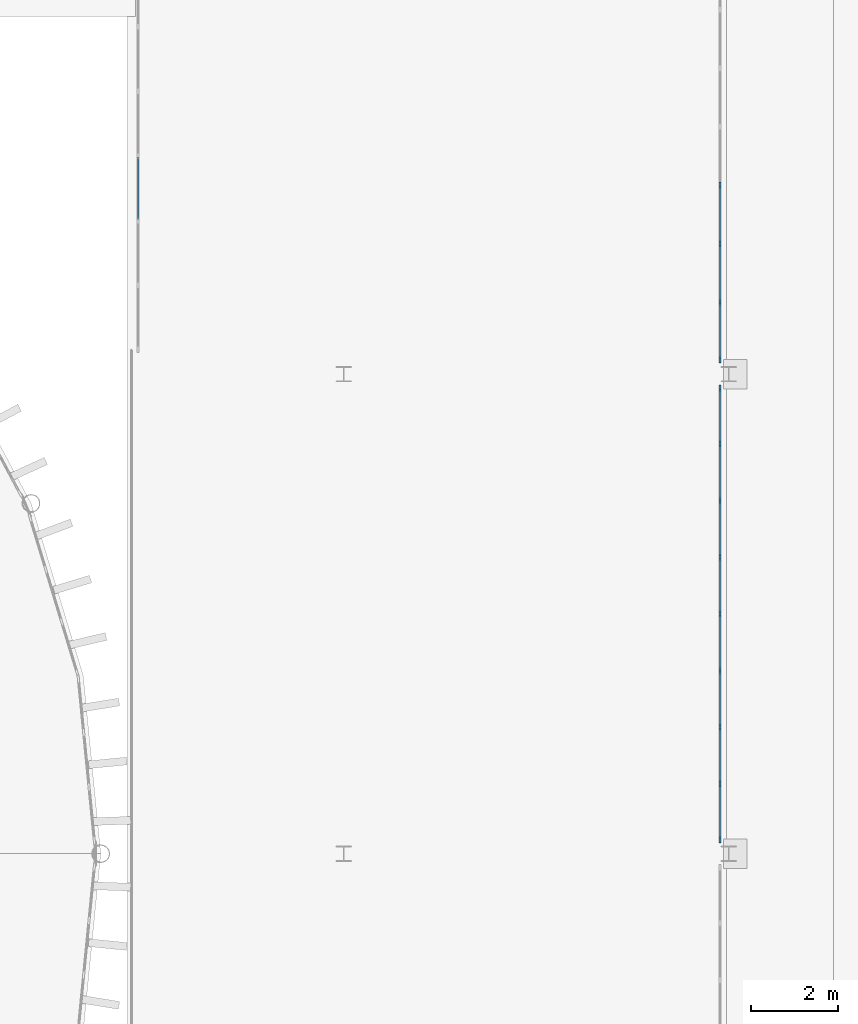
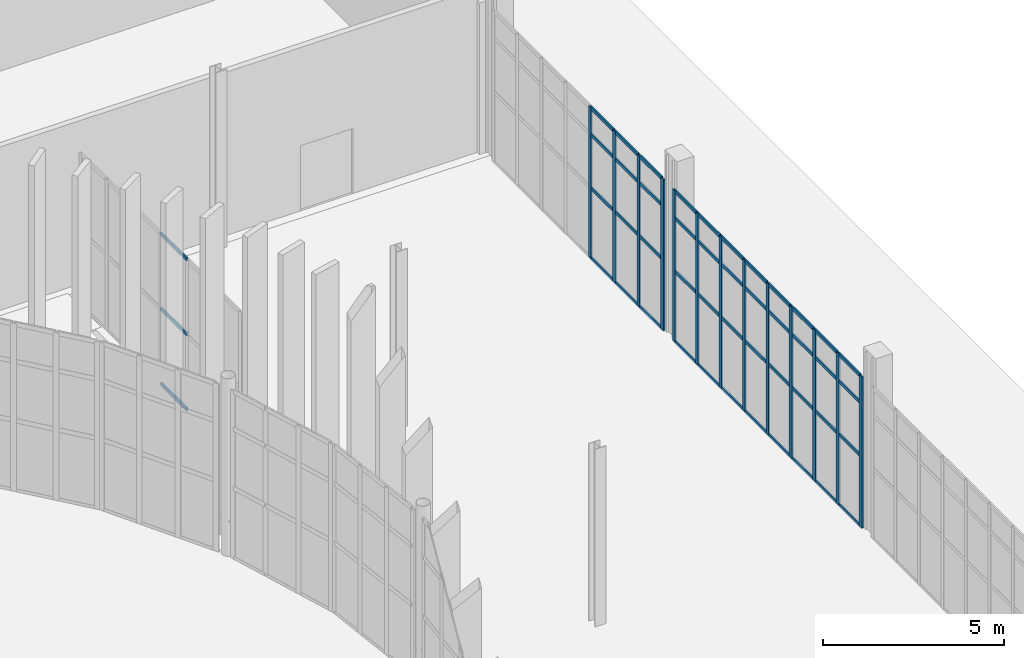
# One storey, part 60 of 139: 60 members, 3 elements without a shape of their own.
"""IFC4 building model written with IfcOpenShell, lengths in metres."""

from ifc_helpers import new_model, si_unit, direction, frame, origin, origin_2d, place, context, subcontext, project, spatial, rectangle, extrude, material, layer, layer_set, material_profile, profile_set, type_object, element, aggregate, save


model = new_model("IFC4")

# Units and contexts
model_context = context("Model", 3, precision=1e-05, world=origin(), true_north=direction((0.0, 1.0)))
body_context = subcontext(model_context, "Body", "Model", "MODEL_VIEW")
ifc_project = project(units=[si_unit("LENGTHUNIT", "METRE"), si_unit("AREAUNIT", "SQUARE_METRE"), si_unit("VOLUMEUNIT", "CUBIC_METRE"), si_unit("PLANEANGLEUNIT", "RADIAN"), si_unit("MASSUNIT", "GRAM", prefix="KILO")], contexts=[model_context])

# Site, building, storey
site_placement = place(None, origin())
site = spatial("IfcSite", under=ifc_project, at=site_placement, CompositionType="ELEMENT")
building_placement = place(site_placement, origin())
building = spatial("IfcBuilding", under=site, at=building_placement, Name="Yeouljin Market Hall", CompositionType="ELEMENT")
storey_placement = place(building_placement, origin())
storey = spatial("IfcBuildingStorey", under=building, at=storey_placement, Name="L00", CompositionType="ELEMENT", Elevation=0.0)

# Curtain wall, members
ifc_material_1 = material(Name="Thermally Broken Aluminium", Category="aluminium")
ifc_layer = layer(ifc_material_1, 0.14990234375)
ifc_layer_set = layer_set([ifc_layer], Name="Thermally Broken Aluminium")
curtain_wall_type = type_object("IfcCurtainWallType", Name="CW_WingStorefront_System", PredefinedType="USERDEFINED", material=ifc_layer_set)
curtain_wall_1_placement = place(storey_placement, origin())
curtain_wall_1 = element("IfcCurtainWall", 1, at=curtain_wall_1_placement, inside=storey, type_object=curtain_wall_type, Name="Curtain wall CW-V3E-L00-2", ObjectType="CURTAIN WALL", PredefinedType="USERDEFINED")
ifc_material_2 = material(Name="Thermally Broken Aluminium", Category="aluminium")
ifc_material_profile_1 = material_profile(ifc_material_2, rectangle(XDim=0.048095703125, YDim=0.14990234375, at=origin_2d()), Name="CW-MULL-48x150")
ifc_profile_set_1 = profile_set([ifc_material_profile_1], Name="Thermally Broken Aluminium")
member_type_1 = type_object("IfcMemberType", Name="CWMullion_48x150", PredefinedType="MULLION", material=ifc_profile_set_1)
member_1_placement = place(storey_placement, frame((176.199951171875, 72.32861328125, 0.0), z_axis=(0.0, 0.0, 1.0), x_axis=(1.0, 0.0, 0.0)))
member_1 = element("IfcMember", 2, at=member_1_placement, type_object=member_type_1, Name="CW-04 mullion 5", PredefinedType="MULLION", context=body_context, shape_type="SweptSolid", body=[
    extrude(rectangle(XDim=0.048095703125, YDim=0.14990234375, at=origin_2d()), origin(), (0.0, 0.0, 1.0), 5.1201171875),
])
member_2_placement = place(storey_placement, frame((176.199951171875, 70.985595703125, 0.0), z_axis=(0.0, 0.0, 1.0), x_axis=(1.0, 0.0, 0.0)))
member_2 = element("IfcMember", 3, at=member_2_placement, type_object=member_type_1, Name="CW-04 mullion 6", PredefinedType="MULLION", context=body_context, shape_type="SweptSolid", body=[
    extrude(rectangle(XDim=0.048095703125, YDim=0.14990234375, at=origin_2d()), origin(), (0.0, 0.0, 1.0), 5.1201171875),
])
member_3_placement = place(storey_placement, frame((176.199951171875, 69.642822265625, 0.0), z_axis=(0.0, 0.0, 1.0), x_axis=(1.0, 0.0, 0.0)))
member_3 = element("IfcMember", 4, at=member_3_placement, type_object=member_type_1, Name="CW-04 mullion 7", PredefinedType="MULLION", context=body_context, shape_type="SweptSolid", body=[
    extrude(rectangle(XDim=0.048095703125, YDim=0.14990234375, at=origin_2d()), origin(), (0.0, 0.0, 1.0), 5.1201171875),
])
member_4_placement = place(storey_placement, frame((176.199951171875, 68.323974609375, 0.0), z_axis=(0.0, 0.0, 1.0), x_axis=(1.0, 0.0, 0.0)))
member_4 = element("IfcMember", 5, at=member_4_placement, type_object=member_type_1, Name="CW-04 mullion 8", PredefinedType="MULLION", context=body_context, shape_type="SweptSolid", body=[
    extrude(rectangle(XDim=0.048095703125, YDim=0.14990234375, at=origin_2d()), origin(), (0.0, 0.0, 1.0), 5.1201171875),
])

curtain_wall_2_placement = place(storey_placement, origin())
curtain_wall_2 = element("IfcCurtainWall", 6, at=curtain_wall_2_placement, inside=storey, type_object=curtain_wall_type, Name="Curtain wall CW-V3E-L00-3", ObjectType="CURTAIN WALL", PredefinedType="USERDEFINED")
member_5_placement = place(storey_placement, frame((176.199951171875, 67.676025390625, 0.0), z_axis=(0.0, 0.0, 1.0), x_axis=(1.0, 0.0, 0.0)))
member_5 = element("IfcMember", 7, at=member_5_placement, type_object=member_type_1, Name="CW-04 mullion 1", PredefinedType="MULLION", context=body_context, shape_type="SweptSolid", body=[
    extrude(rectangle(XDim=0.048095703125, YDim=0.14990234375, at=origin_2d()), origin(), (0.0, 0.0, 1.0), 5.1201171875),
])
member_6_placement = place(storey_placement, frame((176.199951171875, 66.39990234375, 0.0), z_axis=(0.0, 0.0, 1.0), x_axis=(1.0, 0.0, 0.0)))
member_6 = element("IfcMember", 8, at=member_6_placement, type_object=member_type_1, Name="CW-04 mullion 2", PredefinedType="MULLION", context=body_context, shape_type="SweptSolid", body=[
    extrude(rectangle(XDim=0.048095703125, YDim=0.14990234375, at=origin_2d()), origin(), (0.0, 0.0, 1.0), 5.1201171875),
])
member_7_placement = place(storey_placement, frame((176.199951171875, 65.10009765625, 0.0), z_axis=(0.0, 0.0, 1.0), x_axis=(1.0, 0.0, 0.0)))
member_7 = element("IfcMember", 9, at=member_7_placement, type_object=member_type_1, Name="CW-04 mullion 3", PredefinedType="MULLION", context=body_context, shape_type="SweptSolid", body=[
    extrude(rectangle(XDim=0.048095703125, YDim=0.14990234375, at=origin_2d()), origin(), (0.0, 0.0, 1.0), 5.1201171875),
])
member_8_placement = place(storey_placement, frame((176.199951171875, 63.800048828125, 0.0), z_axis=(0.0, 0.0, 1.0), x_axis=(1.0, 0.0, 0.0)))
member_8 = element("IfcMember", 10, at=member_8_placement, type_object=member_type_1, Name="CW-04 mullion 4", PredefinedType="MULLION", context=body_context, shape_type="SweptSolid", body=[
    extrude(rectangle(XDim=0.048095703125, YDim=0.14990234375, at=origin_2d()), origin(), (0.0, 0.0, 1.0), 5.1201171875),
])
member_9_placement = place(storey_placement, frame((176.199951171875, 62.5, 0.0), z_axis=(0.0, 0.0, 1.0), x_axis=(1.0, 0.0, 0.0)))
member_9 = element("IfcMember", 11, at=member_9_placement, type_object=member_type_1, Name="CW-04 mullion 5", PredefinedType="MULLION", context=body_context, shape_type="SweptSolid", body=[
    extrude(rectangle(XDim=0.048095703125, YDim=0.14990234375, at=origin_2d()), origin(), (0.0, 0.0, 1.0), 5.1201171875),
])
member_10_placement = place(storey_placement, frame((176.199951171875, 61.199951171875, 0.0), z_axis=(0.0, 0.0, 1.0), x_axis=(1.0, 0.0, 0.0)))
member_10 = element("IfcMember", 12, at=member_10_placement, type_object=member_type_1, Name="CW-04 mullion 6", PredefinedType="MULLION", context=body_context, shape_type="SweptSolid", body=[
    extrude(rectangle(XDim=0.048095703125, YDim=0.14990234375, at=origin_2d()), origin(), (0.0, 0.0, 1.0), 5.1201171875),
])
member_11_placement = place(storey_placement, frame((176.199951171875, 59.89990234375, 0.0), z_axis=(0.0, 0.0, 1.0), x_axis=(1.0, 0.0, 0.0)))
member_11 = element("IfcMember", 13, at=member_11_placement, type_object=member_type_1, Name="CW-04 mullion 7", PredefinedType="MULLION", context=body_context, shape_type="SweptSolid", body=[
    extrude(rectangle(XDim=0.048095703125, YDim=0.14990234375, at=origin_2d()), origin(), (0.0, 0.0, 1.0), 5.1201171875),
])
member_12_placement = place(storey_placement, frame((176.199951171875, 58.60009765625, 0.0), z_axis=(0.0, 0.0, 1.0), x_axis=(1.0, 0.0, 0.0)))
member_12 = element("IfcMember", 14, at=member_12_placement, type_object=member_type_1, Name="CW-04 mullion 8", PredefinedType="MULLION", context=body_context, shape_type="SweptSolid", body=[
    extrude(rectangle(XDim=0.048095703125, YDim=0.14990234375, at=origin_2d()), origin(), (0.0, 0.0, 1.0), 5.1201171875),
])
member_13_placement = place(storey_placement, frame((176.199951171875, 57.323974609375, 0.0), z_axis=(0.0, 0.0, 1.0), x_axis=(1.0, 0.0, 0.0)))
member_13 = element("IfcMember", 15, at=member_13_placement, type_object=member_type_1, Name="CW-04 mullion 9", PredefinedType="MULLION", context=body_context, shape_type="SweptSolid", body=[
    extrude(rectangle(XDim=0.048095703125, YDim=0.14990234375, at=origin_2d()), origin(), (0.0, 0.0, 1.0), 5.1201171875),
])

# Member
ifc_material_3 = material(Name="Thermally Broken Aluminium", Category="aluminium")
ifc_material_profile_2 = material_profile(ifc_material_3, rectangle(XDim=0.048095703125, YDim=0.1201171875, at=origin_2d()), Name="CW-TRAN-48x120")
ifc_profile_set_2 = profile_set([ifc_material_profile_2], Name="Thermally Broken Aluminium")
member_type_2 = type_object("IfcMemberType", Name="CWTransom_48x120", PredefinedType="USERDEFINED", material=ifc_profile_set_2)
member_14_placement = place(storey_placement, frame((176.199951171875, 72.3046875, 0.02392578125), z_axis=(0.0, -1.0, 0.0), x_axis=(1.0, 0.0, 0.0)))
member_14 = element("IfcMember", 16, at=member_14_placement, type_object=member_type_2, Name="CW-04 transom 5.1", ObjectType="TRANSOM", PredefinedType="USERDEFINED", context=body_context, shape_type="SweptSolid", body=[
    extrude(rectangle(XDim=0.048095703125, YDim=0.1201171875, at=origin_2d()), origin(), (0.0, 0.0, 1.0), 1.294921875),
])

member_15_placement = place(storey_placement, frame((176.199951171875, 72.3046875, 2.39990234375), z_axis=(0.0, -1.0, 0.0), x_axis=(1.0, 0.0, 0.0)))
member_15 = element("IfcMember", 17, at=member_15_placement, type_object=member_type_2, Name="CW-04 transom 5.2", ObjectType="TRANSOM", PredefinedType="USERDEFINED", context=body_context, shape_type="SweptSolid", body=[
    extrude(rectangle(XDim=0.048095703125, YDim=0.1201171875, at=origin_2d()), origin(), (0.0, 0.0, 1.0), 1.294921875),
])

member_16_placement = place(storey_placement, frame((176.199951171875, 72.3046875, 4.199951171875), z_axis=(0.0, -1.0, 0.0), x_axis=(1.0, 0.0, 0.0)))
member_16 = element("IfcMember", 18, at=member_16_placement, type_object=member_type_2, Name="CW-04 transom 5.3", ObjectType="TRANSOM", PredefinedType="USERDEFINED", context=body_context, shape_type="SweptSolid", body=[
    extrude(rectangle(XDim=0.048095703125, YDim=0.1201171875, at=origin_2d()), origin(), (0.0, 0.0, 1.0), 1.294921875),
])

member_17_placement = place(storey_placement, frame((176.199951171875, 72.3046875, 5.095947265625), z_axis=(0.0, -1.0, 0.0), x_axis=(1.0, 0.0, 0.0)))
member_17 = element("IfcMember", 19, at=member_17_placement, type_object=member_type_2, Name="CW-04 transom 5.4", ObjectType="TRANSOM", PredefinedType="USERDEFINED", context=body_context, shape_type="SweptSolid", body=[
    extrude(rectangle(XDim=0.048095703125, YDim=0.1201171875, at=origin_2d()), origin(), (0.0, 0.0, 1.0), 1.294921875),
])

member_18_placement = place(storey_placement, frame((176.199951171875, 70.961669921875, 0.02392578125), z_axis=(0.0, -1.0, 0.0), x_axis=(1.0, 0.0, 0.0)))
member_18 = element("IfcMember", 20, at=member_18_placement, type_object=member_type_2, Name="CW-04 transom 6.1", ObjectType="TRANSOM", PredefinedType="USERDEFINED", context=body_context, shape_type="SweptSolid", body=[
    extrude(rectangle(XDim=0.048095703125, YDim=0.1201171875, at=origin_2d()), origin(), (0.0, 0.0, 1.0), 1.294921875),
])

member_19_placement = place(storey_placement, frame((176.199951171875, 70.961669921875, 2.39990234375), z_axis=(0.0, -1.0, 0.0), x_axis=(1.0, 0.0, 0.0)))
member_19 = element("IfcMember", 21, at=member_19_placement, type_object=member_type_2, Name="CW-04 transom 6.2", ObjectType="TRANSOM", PredefinedType="USERDEFINED", context=body_context, shape_type="SweptSolid", body=[
    extrude(rectangle(XDim=0.048095703125, YDim=0.1201171875, at=origin_2d()), origin(), (0.0, 0.0, 1.0), 1.294921875),
])

member_20_placement = place(storey_placement, frame((176.199951171875, 70.961669921875, 4.199951171875), z_axis=(0.0, -1.0, 0.0), x_axis=(1.0, 0.0, 0.0)))
member_20 = element("IfcMember", 22, at=member_20_placement, type_object=member_type_2, Name="CW-04 transom 6.3", ObjectType="TRANSOM", PredefinedType="USERDEFINED", context=body_context, shape_type="SweptSolid", body=[
    extrude(rectangle(XDim=0.048095703125, YDim=0.1201171875, at=origin_2d()), origin(), (0.0, 0.0, 1.0), 1.294921875),
])

member_21_placement = place(storey_placement, frame((176.199951171875, 70.961669921875, 5.095947265625), z_axis=(0.0, -1.0, 0.0), x_axis=(1.0, 0.0, 0.0)))
member_21 = element("IfcMember", 23, at=member_21_placement, type_object=member_type_2, Name="CW-04 transom 6.4", ObjectType="TRANSOM", PredefinedType="USERDEFINED", context=body_context, shape_type="SweptSolid", body=[
    extrude(rectangle(XDim=0.048095703125, YDim=0.1201171875, at=origin_2d()), origin(), (0.0, 0.0, 1.0), 1.294921875),
])

member_22_placement = place(storey_placement, frame((176.199951171875, 69.618896484375, 0.02392578125), z_axis=(0.0, -1.0, 0.0), x_axis=(1.0, 0.0, 0.0)))
member_22 = element("IfcMember", 24, at=member_22_placement, type_object=member_type_2, Name="CW-04 transom 7.1", ObjectType="TRANSOM", PredefinedType="USERDEFINED", context=body_context, shape_type="SweptSolid", body=[
    extrude(rectangle(XDim=0.048095703125, YDim=0.1201171875, at=origin_2d()), origin(), (0.0, 0.0, 1.0), 1.27099609375),
])

member_23_placement = place(storey_placement, frame((176.199951171875, 69.618896484375, 2.39990234375), z_axis=(0.0, -1.0, 0.0), x_axis=(1.0, 0.0, 0.0)))
member_23 = element("IfcMember", 25, at=member_23_placement, type_object=member_type_2, Name="CW-04 transom 7.2", ObjectType="TRANSOM", PredefinedType="USERDEFINED", context=body_context, shape_type="SweptSolid", body=[
    extrude(rectangle(XDim=0.048095703125, YDim=0.1201171875, at=origin_2d()), origin(), (0.0, 0.0, 1.0), 1.27099609375),
])

member_24_placement = place(storey_placement, frame((176.199951171875, 69.618896484375, 4.199951171875), z_axis=(0.0, -1.0, 0.0), x_axis=(1.0, 0.0, 0.0)))
member_24 = element("IfcMember", 26, at=member_24_placement, type_object=member_type_2, Name="CW-04 transom 7.3", ObjectType="TRANSOM", PredefinedType="USERDEFINED", context=body_context, shape_type="SweptSolid", body=[
    extrude(rectangle(XDim=0.048095703125, YDim=0.1201171875, at=origin_2d()), origin(), (0.0, 0.0, 1.0), 1.27099609375),
])

member_25_placement = place(storey_placement, frame((176.199951171875, 69.618896484375, 5.095947265625), z_axis=(0.0, -1.0, 0.0), x_axis=(1.0, 0.0, 0.0)))
member_25 = element("IfcMember", 27, at=member_25_placement, type_object=member_type_2, Name="CW-04 transom 7.4", ObjectType="TRANSOM", PredefinedType="USERDEFINED", context=body_context, shape_type="SweptSolid", body=[
    extrude(rectangle(XDim=0.048095703125, YDim=0.1201171875, at=origin_2d()), origin(), (0.0, 0.0, 1.0), 1.27099609375),
])

aggregate(curtain_wall_1, [member_1, member_2, member_3, member_4, member_14, member_15, member_16, member_17, member_18, member_19, member_20, member_21, member_22, member_23, member_24, member_25])

member_26_placement = place(storey_placement, frame((176.199951171875, 67.652099609375, 0.02392578125), z_axis=(0.0, -1.0, 0.0), x_axis=(1.0, 0.0, 0.0)))
member_26 = element("IfcMember", 28, at=member_26_placement, type_object=member_type_2, Name="CW-04 transom 1.1", ObjectType="TRANSOM", PredefinedType="USERDEFINED", context=body_context, shape_type="SweptSolid", body=[
    extrude(rectangle(XDim=0.048095703125, YDim=0.1201171875, at=origin_2d()), origin(), (0.0, 0.0, 1.0), 1.22802734375),
])

member_27_placement = place(storey_placement, frame((176.199951171875, 67.652099609375, 2.39990234375), z_axis=(0.0, -1.0, 0.0), x_axis=(1.0, 0.0, 0.0)))
member_27 = element("IfcMember", 29, at=member_27_placement, type_object=member_type_2, Name="CW-04 transom 1.2", ObjectType="TRANSOM", PredefinedType="USERDEFINED", context=body_context, shape_type="SweptSolid", body=[
    extrude(rectangle(XDim=0.048095703125, YDim=0.1201171875, at=origin_2d()), origin(), (0.0, 0.0, 1.0), 1.22802734375),
])

member_28_placement = place(storey_placement, frame((176.199951171875, 67.652099609375, 4.199951171875), z_axis=(0.0, -1.0, 0.0), x_axis=(1.0, 0.0, 0.0)))
member_28 = element("IfcMember", 30, at=member_28_placement, type_object=member_type_2, Name="CW-04 transom 1.3", ObjectType="TRANSOM", PredefinedType="USERDEFINED", context=body_context, shape_type="SweptSolid", body=[
    extrude(rectangle(XDim=0.048095703125, YDim=0.1201171875, at=origin_2d()), origin(), (0.0, 0.0, 1.0), 1.22802734375),
])

member_29_placement = place(storey_placement, frame((176.199951171875, 67.652099609375, 5.095947265625), z_axis=(0.0, -1.0, 0.0), x_axis=(1.0, 0.0, 0.0)))
member_29 = element("IfcMember", 31, at=member_29_placement, type_object=member_type_2, Name="CW-04 transom 1.4", ObjectType="TRANSOM", PredefinedType="USERDEFINED", context=body_context, shape_type="SweptSolid", body=[
    extrude(rectangle(XDim=0.048095703125, YDim=0.1201171875, at=origin_2d()), origin(), (0.0, 0.0, 1.0), 1.22802734375),
])

member_30_placement = place(storey_placement, frame((176.199951171875, 66.3759765625, 0.02392578125), z_axis=(0.0, -1.0, 0.0), x_axis=(1.0, 0.0, 0.0)))
member_30 = element("IfcMember", 32, at=member_30_placement, type_object=member_type_2, Name="CW-04 transom 2.1", ObjectType="TRANSOM", PredefinedType="USERDEFINED", context=body_context, shape_type="SweptSolid", body=[
    extrude(rectangle(XDim=0.048095703125, YDim=0.1201171875, at=origin_2d()), origin(), (0.0, 0.0, 1.0), 1.251953125),
])

member_31_placement = place(storey_placement, frame((176.199951171875, 66.3759765625, 2.39990234375), z_axis=(0.0, -1.0, 0.0), x_axis=(1.0, 0.0, 0.0)))
member_31 = element("IfcMember", 33, at=member_31_placement, type_object=member_type_2, Name="CW-04 transom 2.2", ObjectType="TRANSOM", PredefinedType="USERDEFINED", context=body_context, shape_type="SweptSolid", body=[
    extrude(rectangle(XDim=0.048095703125, YDim=0.1201171875, at=origin_2d()), origin(), (0.0, 0.0, 1.0), 1.251953125),
])

member_32_placement = place(storey_placement, frame((176.199951171875, 66.3759765625, 4.199951171875), z_axis=(0.0, -1.0, 0.0), x_axis=(1.0, 0.0, 0.0)))
member_32 = element("IfcMember", 34, at=member_32_placement, type_object=member_type_2, Name="CW-04 transom 2.3", ObjectType="TRANSOM", PredefinedType="USERDEFINED", context=body_context, shape_type="SweptSolid", body=[
    extrude(rectangle(XDim=0.048095703125, YDim=0.1201171875, at=origin_2d()), origin(), (0.0, 0.0, 1.0), 1.251953125),
])

member_33_placement = place(storey_placement, frame((176.199951171875, 66.3759765625, 5.095947265625), z_axis=(0.0, -1.0, 0.0), x_axis=(1.0, 0.0, 0.0)))
member_33 = element("IfcMember", 35, at=member_33_placement, type_object=member_type_2, Name="CW-04 transom 2.4", ObjectType="TRANSOM", PredefinedType="USERDEFINED", context=body_context, shape_type="SweptSolid", body=[
    extrude(rectangle(XDim=0.048095703125, YDim=0.1201171875, at=origin_2d()), origin(), (0.0, 0.0, 1.0), 1.251953125),
])

member_34_placement = place(storey_placement, frame((176.199951171875, 65.075927734375, 0.02392578125), z_axis=(0.0, -1.0, 0.0), x_axis=(1.0, 0.0, 0.0)))
member_34 = element("IfcMember", 36, at=member_34_placement, type_object=member_type_2, Name="CW-04 transom 3.1", ObjectType="TRANSOM", PredefinedType="USERDEFINED", context=body_context, shape_type="SweptSolid", body=[
    extrude(rectangle(XDim=0.048095703125, YDim=0.1201171875, at=origin_2d()), origin(), (0.0, 0.0, 1.0), 1.251953125),
])

member_35_placement = place(storey_placement, frame((176.199951171875, 65.075927734375, 2.39990234375), z_axis=(0.0, -1.0, 0.0), x_axis=(1.0, 0.0, 0.0)))
member_35 = element("IfcMember", 37, at=member_35_placement, type_object=member_type_2, Name="CW-04 transom 3.2", ObjectType="TRANSOM", PredefinedType="USERDEFINED", context=body_context, shape_type="SweptSolid", body=[
    extrude(rectangle(XDim=0.048095703125, YDim=0.1201171875, at=origin_2d()), origin(), (0.0, 0.0, 1.0), 1.251953125),
])

member_36_placement = place(storey_placement, frame((176.199951171875, 65.075927734375, 4.199951171875), z_axis=(0.0, -1.0, 0.0), x_axis=(1.0, 0.0, 0.0)))
member_36 = element("IfcMember", 38, at=member_36_placement, type_object=member_type_2, Name="CW-04 transom 3.3", ObjectType="TRANSOM", PredefinedType="USERDEFINED", context=body_context, shape_type="SweptSolid", body=[
    extrude(rectangle(XDim=0.048095703125, YDim=0.1201171875, at=origin_2d()), origin(), (0.0, 0.0, 1.0), 1.251953125),
])

member_37_placement = place(storey_placement, frame((176.199951171875, 65.075927734375, 5.095947265625), z_axis=(0.0, -1.0, 0.0), x_axis=(1.0, 0.0, 0.0)))
member_37 = element("IfcMember", 39, at=member_37_placement, type_object=member_type_2, Name="CW-04 transom 3.4", ObjectType="TRANSOM", PredefinedType="USERDEFINED", context=body_context, shape_type="SweptSolid", body=[
    extrude(rectangle(XDim=0.048095703125, YDim=0.1201171875, at=origin_2d()), origin(), (0.0, 0.0, 1.0), 1.251953125),
])

member_38_placement = place(storey_placement, frame((176.199951171875, 63.77587890625, 0.02392578125), z_axis=(0.0, -1.0, 0.0), x_axis=(1.0, 0.0, 0.0)))
member_38 = element("IfcMember", 40, at=member_38_placement, type_object=member_type_2, Name="CW-04 transom 4.1", ObjectType="TRANSOM", PredefinedType="USERDEFINED", context=body_context, shape_type="SweptSolid", body=[
    extrude(rectangle(XDim=0.048095703125, YDim=0.1201171875, at=origin_2d()), origin(), (0.0, 0.0, 1.0), 1.251953125),
])

member_39_placement = place(storey_placement, frame((176.199951171875, 63.77587890625, 2.39990234375), z_axis=(0.0, -1.0, 0.0), x_axis=(1.0, 0.0, 0.0)))
member_39 = element("IfcMember", 41, at=member_39_placement, type_object=member_type_2, Name="CW-04 transom 4.2", ObjectType="TRANSOM", PredefinedType="USERDEFINED", context=body_context, shape_type="SweptSolid", body=[
    extrude(rectangle(XDim=0.048095703125, YDim=0.1201171875, at=origin_2d()), origin(), (0.0, 0.0, 1.0), 1.251953125),
])

member_40_placement = place(storey_placement, frame((176.199951171875, 63.77587890625, 4.199951171875), z_axis=(0.0, -1.0, 0.0), x_axis=(1.0, 0.0, 0.0)))
member_40 = element("IfcMember", 42, at=member_40_placement, type_object=member_type_2, Name="CW-04 transom 4.3", ObjectType="TRANSOM", PredefinedType="USERDEFINED", context=body_context, shape_type="SweptSolid", body=[
    extrude(rectangle(XDim=0.048095703125, YDim=0.1201171875, at=origin_2d()), origin(), (0.0, 0.0, 1.0), 1.251953125),
])

member_41_placement = place(storey_placement, frame((176.199951171875, 63.77587890625, 5.095947265625), z_axis=(0.0, -1.0, 0.0), x_axis=(1.0, 0.0, 0.0)))
member_41 = element("IfcMember", 43, at=member_41_placement, type_object=member_type_2, Name="CW-04 transom 4.4", ObjectType="TRANSOM", PredefinedType="USERDEFINED", context=body_context, shape_type="SweptSolid", body=[
    extrude(rectangle(XDim=0.048095703125, YDim=0.1201171875, at=origin_2d()), origin(), (0.0, 0.0, 1.0), 1.251953125),
])

member_42_placement = place(storey_placement, frame((176.199951171875, 62.47607421875, 0.02392578125), z_axis=(0.0, -1.0, 0.0), x_axis=(1.0, 0.0, 0.0)))
member_42 = element("IfcMember", 44, at=member_42_placement, type_object=member_type_2, Name="CW-04 transom 5.1", ObjectType="TRANSOM", PredefinedType="USERDEFINED", context=body_context, shape_type="SweptSolid", body=[
    extrude(rectangle(XDim=0.048095703125, YDim=0.1201171875, at=origin_2d()), origin(), (0.0, 0.0, 1.0), 1.251953125),
])

member_43_placement = place(storey_placement, frame((176.199951171875, 62.47607421875, 2.39990234375), z_axis=(0.0, -1.0, 0.0), x_axis=(1.0, 0.0, 0.0)))
member_43 = element("IfcMember", 45, at=member_43_placement, type_object=member_type_2, Name="CW-04 transom 5.2", ObjectType="TRANSOM", PredefinedType="USERDEFINED", context=body_context, shape_type="SweptSolid", body=[
    extrude(rectangle(XDim=0.048095703125, YDim=0.1201171875, at=origin_2d()), origin(), (0.0, 0.0, 1.0), 1.251953125),
])

member_44_placement = place(storey_placement, frame((176.199951171875, 62.47607421875, 4.199951171875), z_axis=(0.0, -1.0, 0.0), x_axis=(1.0, 0.0, 0.0)))
member_44 = element("IfcMember", 46, at=member_44_placement, type_object=member_type_2, Name="CW-04 transom 5.3", ObjectType="TRANSOM", PredefinedType="USERDEFINED", context=body_context, shape_type="SweptSolid", body=[
    extrude(rectangle(XDim=0.048095703125, YDim=0.1201171875, at=origin_2d()), origin(), (0.0, 0.0, 1.0), 1.251953125),
])

member_45_placement = place(storey_placement, frame((176.199951171875, 62.47607421875, 5.095947265625), z_axis=(0.0, -1.0, 0.0), x_axis=(1.0, 0.0, 0.0)))
member_45 = element("IfcMember", 47, at=member_45_placement, type_object=member_type_2, Name="CW-04 transom 5.4", ObjectType="TRANSOM", PredefinedType="USERDEFINED", context=body_context, shape_type="SweptSolid", body=[
    extrude(rectangle(XDim=0.048095703125, YDim=0.1201171875, at=origin_2d()), origin(), (0.0, 0.0, 1.0), 1.251953125),
])

member_46_placement = place(storey_placement, frame((176.199951171875, 61.176025390625, 0.02392578125), z_axis=(0.0, -1.0, 0.0), x_axis=(1.0, 0.0, 0.0)))
member_46 = element("IfcMember", 48, at=member_46_placement, type_object=member_type_2, Name="CW-04 transom 6.1", ObjectType="TRANSOM", PredefinedType="USERDEFINED", context=body_context, shape_type="SweptSolid", body=[
    extrude(rectangle(XDim=0.048095703125, YDim=0.1201171875, at=origin_2d()), origin(), (0.0, 0.0, 1.0), 1.251953125),
])

member_47_placement = place(storey_placement, frame((176.199951171875, 61.176025390625, 2.39990234375), z_axis=(0.0, -1.0, 0.0), x_axis=(1.0, 0.0, 0.0)))
member_47 = element("IfcMember", 49, at=member_47_placement, type_object=member_type_2, Name="CW-04 transom 6.2", ObjectType="TRANSOM", PredefinedType="USERDEFINED", context=body_context, shape_type="SweptSolid", body=[
    extrude(rectangle(XDim=0.048095703125, YDim=0.1201171875, at=origin_2d()), origin(), (0.0, 0.0, 1.0), 1.251953125),
])

member_48_placement = place(storey_placement, frame((176.199951171875, 61.176025390625, 4.199951171875), z_axis=(0.0, -1.0, 0.0), x_axis=(1.0, 0.0, 0.0)))
member_48 = element("IfcMember", 50, at=member_48_placement, type_object=member_type_2, Name="CW-04 transom 6.3", ObjectType="TRANSOM", PredefinedType="USERDEFINED", context=body_context, shape_type="SweptSolid", body=[
    extrude(rectangle(XDim=0.048095703125, YDim=0.1201171875, at=origin_2d()), origin(), (0.0, 0.0, 1.0), 1.251953125),
])

member_49_placement = place(storey_placement, frame((176.199951171875, 61.176025390625, 5.095947265625), z_axis=(0.0, -1.0, 0.0), x_axis=(1.0, 0.0, 0.0)))
member_49 = element("IfcMember", 51, at=member_49_placement, type_object=member_type_2, Name="CW-04 transom 6.4", ObjectType="TRANSOM", PredefinedType="USERDEFINED", context=body_context, shape_type="SweptSolid", body=[
    extrude(rectangle(XDim=0.048095703125, YDim=0.1201171875, at=origin_2d()), origin(), (0.0, 0.0, 1.0), 1.251953125),
])

member_50_placement = place(storey_placement, frame((176.199951171875, 59.8759765625, 0.02392578125), z_axis=(0.0, -1.0, 0.0), x_axis=(1.0, 0.0, 0.0)))
member_50 = element("IfcMember", 52, at=member_50_placement, type_object=member_type_2, Name="CW-04 transom 7.1", ObjectType="TRANSOM", PredefinedType="USERDEFINED", context=body_context, shape_type="SweptSolid", body=[
    extrude(rectangle(XDim=0.048095703125, YDim=0.1201171875, at=origin_2d()), origin(), (0.0, 0.0, 1.0), 1.251953125),
])

member_51_placement = place(storey_placement, frame((176.199951171875, 59.8759765625, 2.39990234375), z_axis=(0.0, -1.0, 0.0), x_axis=(1.0, 0.0, 0.0)))
member_51 = element("IfcMember", 53, at=member_51_placement, type_object=member_type_2, Name="CW-04 transom 7.2", ObjectType="TRANSOM", PredefinedType="USERDEFINED", context=body_context, shape_type="SweptSolid", body=[
    extrude(rectangle(XDim=0.048095703125, YDim=0.1201171875, at=origin_2d()), origin(), (0.0, 0.0, 1.0), 1.251953125),
])

member_52_placement = place(storey_placement, frame((176.199951171875, 59.8759765625, 4.199951171875), z_axis=(0.0, -1.0, 0.0), x_axis=(1.0, 0.0, 0.0)))
member_52 = element("IfcMember", 54, at=member_52_placement, type_object=member_type_2, Name="CW-04 transom 7.3", ObjectType="TRANSOM", PredefinedType="USERDEFINED", context=body_context, shape_type="SweptSolid", body=[
    extrude(rectangle(XDim=0.048095703125, YDim=0.1201171875, at=origin_2d()), origin(), (0.0, 0.0, 1.0), 1.251953125),
])

member_53_placement = place(storey_placement, frame((176.199951171875, 59.8759765625, 5.095947265625), z_axis=(0.0, -1.0, 0.0), x_axis=(1.0, 0.0, 0.0)))
member_53 = element("IfcMember", 55, at=member_53_placement, type_object=member_type_2, Name="CW-04 transom 7.4", ObjectType="TRANSOM", PredefinedType="USERDEFINED", context=body_context, shape_type="SweptSolid", body=[
    extrude(rectangle(XDim=0.048095703125, YDim=0.1201171875, at=origin_2d()), origin(), (0.0, 0.0, 1.0), 1.251953125),
])

member_54_placement = place(storey_placement, frame((176.199951171875, 58.575927734375, 0.02392578125), z_axis=(0.0, -1.0, 0.0), x_axis=(1.0, 0.0, 0.0)))
member_54 = element("IfcMember", 56, at=member_54_placement, type_object=member_type_2, Name="CW-04 transom 8.1", ObjectType="TRANSOM", PredefinedType="USERDEFINED", context=body_context, shape_type="SweptSolid", body=[
    extrude(rectangle(XDim=0.048095703125, YDim=0.1201171875, at=origin_2d()), origin(), (0.0, 0.0, 1.0), 1.22802734375),
])

member_55_placement = place(storey_placement, frame((176.199951171875, 58.575927734375, 2.39990234375), z_axis=(0.0, -1.0, 0.0), x_axis=(1.0, 0.0, 0.0)))
member_55 = element("IfcMember", 57, at=member_55_placement, type_object=member_type_2, Name="CW-04 transom 8.2", ObjectType="TRANSOM", PredefinedType="USERDEFINED", context=body_context, shape_type="SweptSolid", body=[
    extrude(rectangle(XDim=0.048095703125, YDim=0.1201171875, at=origin_2d()), origin(), (0.0, 0.0, 1.0), 1.22802734375),
])

member_56_placement = place(storey_placement, frame((176.199951171875, 58.575927734375, 4.199951171875), z_axis=(0.0, -1.0, 0.0), x_axis=(1.0, 0.0, 0.0)))
member_56 = element("IfcMember", 58, at=member_56_placement, type_object=member_type_2, Name="CW-04 transom 8.3", ObjectType="TRANSOM", PredefinedType="USERDEFINED", context=body_context, shape_type="SweptSolid", body=[
    extrude(rectangle(XDim=0.048095703125, YDim=0.1201171875, at=origin_2d()), origin(), (0.0, 0.0, 1.0), 1.22802734375),
])

member_57_placement = place(storey_placement, frame((176.199951171875, 58.575927734375, 5.095947265625), z_axis=(0.0, -1.0, 0.0), x_axis=(1.0, 0.0, 0.0)))
member_57 = element("IfcMember", 59, at=member_57_placement, type_object=member_type_2, Name="CW-04 transom 8.4", ObjectType="TRANSOM", PredefinedType="USERDEFINED", context=body_context, shape_type="SweptSolid", body=[
    extrude(rectangle(XDim=0.048095703125, YDim=0.1201171875, at=origin_2d()), origin(), (0.0, 0.0, 1.0), 1.22802734375),
])

aggregate(curtain_wall_2, [member_5, member_6, member_7, member_8, member_9, member_10, member_11, member_12, member_13, member_26, member_27, member_28, member_29, member_30, member_31, member_32, member_33, member_34, member_35, member_36, member_37, member_38, member_39, member_40, member_41, member_42, member_43, member_44, member_45, member_46, member_47, member_48, member_49, member_50, member_51, member_52, member_53, member_54, member_55, member_56, member_57])

# Curtain wall, members
curtain_wall_3_placement = place(storey_placement, origin())
curtain_wall_3 = element("IfcCurtainWall", 60, at=curtain_wall_3_placement, inside=storey, type_object=curtain_wall_type, Name="Curtain wall CW-CRT-L00-14", ObjectType="CURTAIN WALL", PredefinedType="USERDEFINED")
member_58_placement = place(storey_placement, frame((162.85009765625, 72.97607421875, 0.02392578125), z_axis=(0.0, -1.0, 0.0), x_axis=(1.0, 0.0, 0.0)))
member_58 = element("IfcMember", 61, at=member_58_placement, type_object=member_type_2, Name="CW-04 transom 4.1", ObjectType="TRANSOM", PredefinedType="USERDEFINED", context=body_context, shape_type="SweptSolid", body=[
    extrude(rectangle(XDim=0.048095703125, YDim=0.1201171875, at=origin_2d()), origin(), (0.0, 0.0, 1.0), 1.435302734375),
])
member_59_placement = place(storey_placement, frame((162.85009765625, 72.97607421875, 2.56005859375), z_axis=(0.0, -1.0, 0.0), x_axis=(1.0, 0.0, 0.0)))
member_59 = element("IfcMember", 62, at=member_59_placement, type_object=member_type_2, Name="CW-04 transom 4.2", ObjectType="TRANSOM", PredefinedType="USERDEFINED", context=body_context, shape_type="SweptSolid", body=[
    extrude(rectangle(XDim=0.048095703125, YDim=0.1201171875, at=origin_2d()), origin(), (0.0, 0.0, 1.0), 1.435302734375),
])
member_60_placement = place(storey_placement, frame((162.85009765625, 72.97607421875, 5.095947265625), z_axis=(0.0, -1.0, 0.0), x_axis=(1.0, 0.0, 0.0)))
member_60 = element("IfcMember", 63, at=member_60_placement, type_object=member_type_2, Name="CW-04 transom 4.3", ObjectType="TRANSOM", PredefinedType="USERDEFINED", context=body_context, shape_type="SweptSolid", body=[
    extrude(rectangle(XDim=0.048095703125, YDim=0.1201171875, at=origin_2d()), origin(), (0.0, 0.0, 1.0), 1.435302734375),
])
aggregate(curtain_wall_3, [member_58, member_59, member_60])

save(model, "model.ifc")
